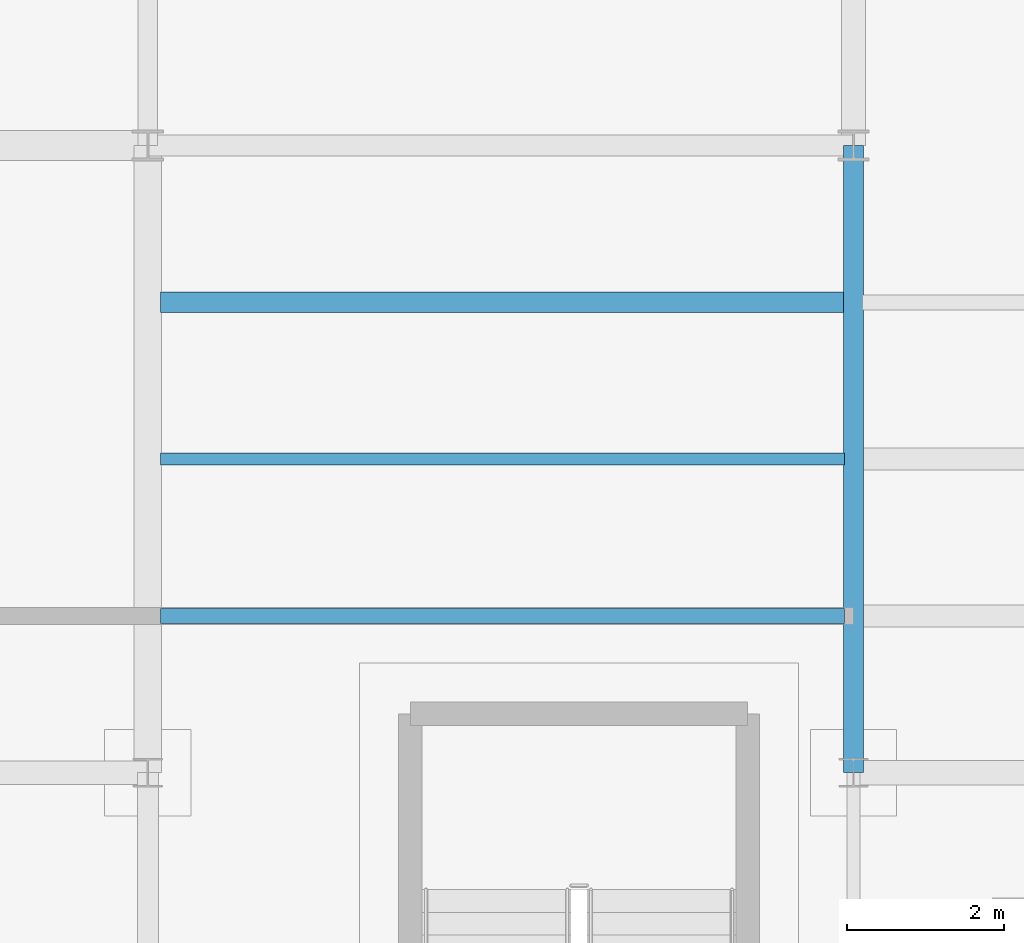
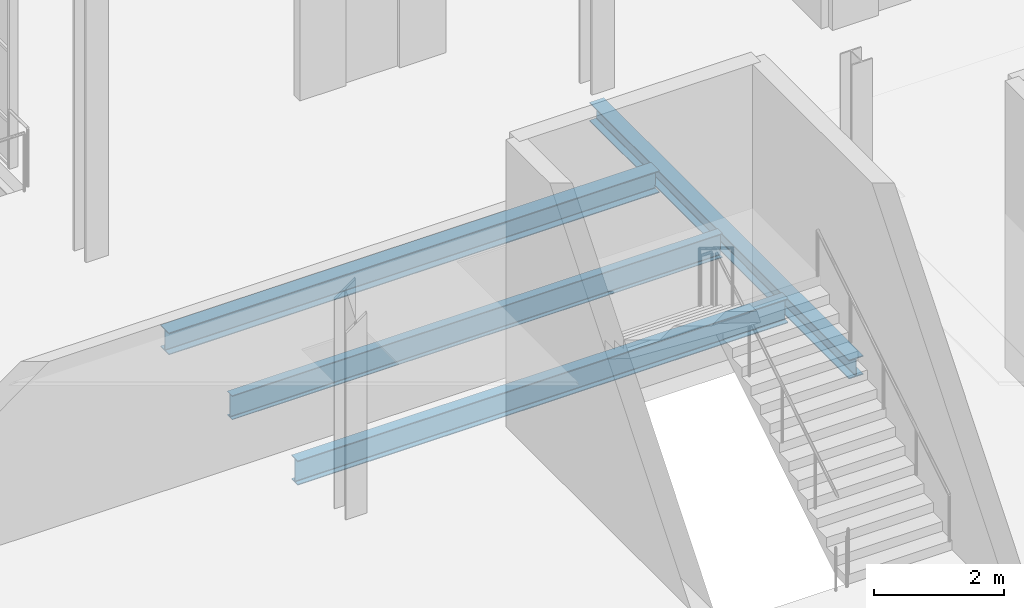
# One storey, part 39 of 142: 4 beams.
"""IFC4 building model written with IfcOpenShell, lengths in metres."""

from ifc_helpers import new_model, si_unit, direction, frame, origin, origin_2d, place, context, subcontext, project, spatial, i_section, extrude, material, material_profile, profile_set, type_object, element, save


model = new_model("IFC4")

# Units and contexts
model_context = context("Model", 3, precision=1e-05, world=origin(), true_north=direction((0.0, 1.0)))
body_context = subcontext(model_context, "Body", "Model", "MODEL_VIEW")
ifc_project = project(units=[si_unit("LENGTHUNIT", "METRE"), si_unit("AREAUNIT", "SQUARE_METRE"), si_unit("VOLUMEUNIT", "CUBIC_METRE"), si_unit("PLANEANGLEUNIT", "RADIAN"), si_unit("MASSUNIT", "GRAM", prefix="KILO"), si_unit("THERMODYNAMICTEMPERATUREUNIT", "KELVIN"), si_unit("POWERUNIT", "WATT")], contexts=[model_context])

# Site, building, storey
site_placement = place(None, origin())
site = spatial("IfcSite", under=ifc_project, at=site_placement, CompositionType="ELEMENT")
building_placement = place(site_placement, origin())
building = spatial("IfcBuilding", under=site, at=building_placement, Name="Zelmaris Science Centre", CompositionType="ELEMENT")
storey_placement = place(building_placement, frame((0.0, 0.0, 5.39990234375)))
storey = spatial("IfcBuildingStorey", under=building, at=storey_placement, Name="L01", CompositionType="ELEMENT", Elevation=5.39990234375)

# Beams
ifc_material = material(Name="Steel ASTM A992 Grade 50", Category="steel")
ifc_material_profile_1 = material_profile(ifc_material, i_section(OverallWidth=0.25390625, OverallDepth=0.35595703125, WebThickness=0.010498046875, FlangeThickness=0.018310546875, FilletRadius=0.014892578125, at=origin_2d()), Name="W14X68")
ifc_profile_set_1 = profile_set([ifc_material_profile_1], Name="Steel ASTM A992 Grade 50")
beam_type_1 = type_object("IfcBeamType", Name="Beam G-41 W14X68", PredefinedType="BEAM", material=ifc_profile_set_1)
beam_1_placement = place(storey_placement, frame((126.0, 24.0, -0.4580078125), z_axis=(0.0, 1.0, 0.0), x_axis=(-1.0, 0.0, 0.0)))
element("IfcBeam", 1, at=beam_1_placement, inside=storey, type_object=beam_type_1, Name="L01 North-south girder 309", PredefinedType="BEAM", context=body_context, shape_type="SweptSolid", body=[
    extrude(i_section(OverallWidth=0.25390625, OverallDepth=0.35595703125, WebThickness=0.010498046875, FlangeThickness=0.018310546875, FilletRadius=0.014892578125, at=origin_2d()), origin(), (0.0, 0.0, 1.0), 8.0),
])
ifc_material_profile_2 = material_profile(ifc_material, i_section(OverallWidth=0.19091796875, OverallDepth=0.4599609375, WebThickness=0.010009765625, FlangeThickness=0.01611328125, FilletRadius=0.012939453125, at=origin_2d()), Name="W18X55")
ifc_profile_set_2 = profile_set([ifc_material_profile_2], Name="Steel ASTM A992 Grade 50")
beam_type_2 = type_object("IfcBeamType", Name="Beam J-04 W18X55", PredefinedType="JOIST", material=ifc_profile_set_2)
beam_2_placement = place(storey_placement, frame((117.1630859375, 26.0, -0.510009765625), z_axis=(1.0, 0.0, 0.0), x_axis=(0.0, 1.0, 0.0)))
element("IfcBeam", 2, at=beam_2_placement, inside=storey, type_object=beam_type_2, Name="L01 Composite floor joist 174", PredefinedType="JOIST", context=body_context, shape_type="SweptSolid", body=[
    extrude(i_section(OverallWidth=0.19091796875, OverallDepth=0.4599609375, WebThickness=0.010009765625, FlangeThickness=0.01611328125, FilletRadius=0.012939453125, at=origin_2d()), origin(), (0.0, 0.0, 1.0), 8.724853515625),
])
ifc_material_profile_3 = material_profile(ifc_material, i_section(OverallWidth=0.152099609375, OverallDepth=0.455078125, WebThickness=0.008056640625, FlangeThickness=0.01318359375, FilletRadius=0.012939453125, at=origin_2d()), Name="W18X40")
ifc_profile_set_3 = profile_set([ifc_material_profile_3], Name="Steel ASTM A992 Grade 50")
beam_type_3 = type_object("IfcBeamType", Name="Beam J-05 W18X40", PredefinedType="JOIST", material=ifc_profile_set_3)
beam_3_placement = place(storey_placement, frame((117.1630859375, 28.0, -0.50732421875), z_axis=(1.0, 0.0, 0.0), x_axis=(0.0, 1.0, 0.0)))
element("IfcBeam", 3, at=beam_3_placement, inside=storey, type_object=beam_type_3, Name="L01 Composite floor joist 175", PredefinedType="JOIST", context=body_context, shape_type="SweptSolid", body=[
    extrude(i_section(OverallWidth=0.152099609375, OverallDepth=0.455078125, WebThickness=0.008056640625, FlangeThickness=0.01318359375, FilletRadius=0.012939453125, at=origin_2d()), origin(), (0.0, 0.0, 1.0), 8.724853515625),
])
ifc_material_profile_4 = material_profile(ifc_material, i_section(OverallWidth=0.260009765625, OverallDepth=0.4140625, WebThickness=0.010009765625, FlangeThickness=0.016845703125, FilletRadius=0.011962890625, at=origin_2d()), Name="W16X67")
ifc_profile_set_4 = profile_set([ifc_material_profile_4], Name="Steel ASTM A992 Grade 50")
beam_type_4 = type_object("IfcBeamType", Name="Beam J-06 W16X67", PredefinedType="JOIST", material=ifc_profile_set_4)
beam_4_placement = place(storey_placement, frame((117.1630859375, 30.0, -0.48681640625), z_axis=(1.0, 0.0, 0.0), x_axis=(0.0, 1.0, 0.0)))
element("IfcBeam", 4, at=beam_4_placement, inside=storey, type_object=beam_type_4, Name="L01 Composite floor joist 176", PredefinedType="JOIST", context=body_context, shape_type="SweptSolid", body=[
    extrude(i_section(OverallWidth=0.260009765625, OverallDepth=0.4140625, WebThickness=0.010009765625, FlangeThickness=0.016845703125, FilletRadius=0.011962890625, at=origin_2d()), origin(), (0.0, 0.0, 1.0), 8.724853515625),
])

save(model, "model.ifc")
